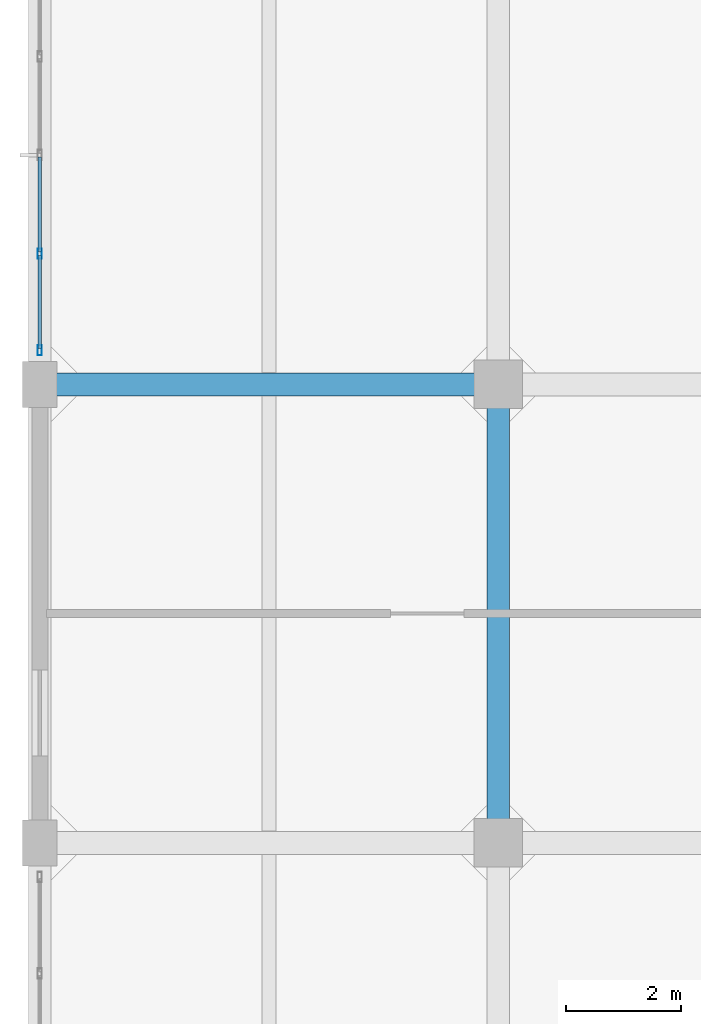
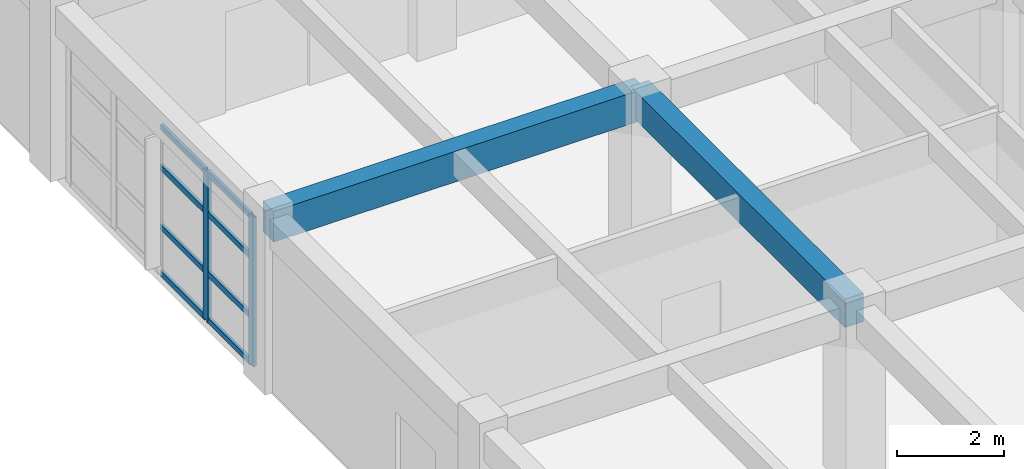
# One storey, part 10 of 30: 10 members, 2 beams, 1 element without a shape of its own.
"""IFC4 building model written with IfcOpenShell, lengths in metres."""

from ifc_helpers import new_model, si_unit, direction, frame, origin, origin_2d, place, context, subcontext, project, spatial, rectangle, hollow_rectangle, extrude, material, layer, layer_set, material_profile, profile_set, type_object, element, aggregate, save


model = new_model("IFC4")

# Units and contexts
model_context = context("Model", 3, precision=1e-05, world=origin(), true_north=direction((0.0, 1.0)))
body_context = subcontext(model_context, "Body", "Model", "MODEL_VIEW")
ifc_project = project(units=[si_unit("LENGTHUNIT", "METRE"), si_unit("AREAUNIT", "SQUARE_METRE"), si_unit("VOLUMEUNIT", "CUBIC_METRE"), si_unit("PLANEANGLEUNIT", "RADIAN"), si_unit("MASSUNIT", "GRAM", prefix="KILO")], contexts=[model_context])

# Site, building, storey
site_placement = place(None, origin())
site = spatial("IfcSite", under=ifc_project, at=site_placement, CompositionType="ELEMENT")
building_placement = place(site_placement, origin())
building = spatial("IfcBuilding", under=site, at=building_placement, Name="Canggui Botanical Conservatory", CompositionType="ELEMENT")
storey_placement = place(building_placement, frame((0.0, 0.0, 27.60009765625)))
storey = spatial("IfcBuildingStorey", under=building, at=storey_placement, Name="L07", CompositionType="ELEMENT", Elevation=27.60009765625)

# Beams
ifc_material_1 = material(Name="Concrete C35", Category="concrete")
ifc_material_profile_1 = material_profile(ifc_material_1, rectangle(XDim=0.39990234375, YDim=0.699951171875, at=origin_2d()), Name="RB 400x700")
ifc_profile_set_1 = profile_set([ifc_material_profile_1], Name="Concrete C35")
beam_type_1 = type_object("IfcBeamType", Name="BM-KL11", PredefinedType="BEAM", material=ifc_profile_set_1)
beam_1_placement = place(storey_placement, frame((138.0, 58.0, 3.60986328125), z_axis=(1.0, 0.0, 0.0), x_axis=(0.0, 1.0, 0.0)))
element("IfcBeam", 1, at=beam_1_placement, inside=storey, type_object=beam_type_1, Name="Frame Girder L07 Y58-1", PredefinedType="BEAM", context=body_context, shape_type="SweptSolid", body=[
    extrude(rectangle(XDim=0.39990234375, YDim=0.699951171875, at=origin_2d()), origin(), (0.0, 0.0, 1.0), 8.0),
])
ifc_material_profile_2 = material_profile(ifc_material_1, rectangle(XDim=0.39990234375, YDim=0.64990234375, at=origin_2d()), Name="RB 400x650")
ifc_profile_set_2 = profile_set([ifc_material_profile_2], Name="Concrete C35")
beam_type_2 = type_object("IfcBeamType", Name="BM-KL12", PredefinedType="BEAM", material=ifc_profile_set_2)
beam_2_placement = place(storey_placement, frame((146.0, 50.0, 3.635009765625), z_axis=(0.0, 1.0, 0.0), x_axis=(-1.0, 0.0, 0.0)))
element("IfcBeam", 2, at=beam_2_placement, inside=storey, type_object=beam_type_2, Name="Frame Girder L07 X146-3", PredefinedType="BEAM", context=body_context, shape_type="SweptSolid", body=[
    extrude(rectangle(XDim=0.39990234375, YDim=0.64990234375, at=origin_2d()), origin(), (0.0, 0.0, 1.0), 8.0),
])

# Curtain wall, members
ifc_material_2 = material(Name="Thermally Broken Aluminium", Category="aluminium")
ifc_layer = layer(ifc_material_2, 0.179931640625, Name="Thermally Broken Aluminium", Category="aluminium")
ifc_layer_set = layer_set([ifc_layer], Name="Thermally Broken Aluminium")
curtain_wall_type = type_object("IfcCurtainWallType", Name="CW-UNIT-A", PredefinedType="USERDEFINED", material=ifc_layer_set)
curtain_wall_placement = place(storey_placement, origin())
curtain_wall = element("IfcCurtainWall", 3, at=curtain_wall_placement, inside=storey, type_object=curtain_wall_type, Name="Facade Curtain Wall CW-TWR-L07-09", ObjectType="UNITISED CURTAIN WALL", PredefinedType="USERDEFINED")
ifc_material_profile_3 = material_profile(ifc_material_2, hollow_rectangle(XDim=0.070068359375, YDim=0.179931640625, WallThickness=0.00390625, at=origin_2d()), Name="CWM 70x180x4")
ifc_profile_set_3 = profile_set([ifc_material_profile_3], Name="Thermally Broken Aluminium")
member_type_1 = type_object("IfcMemberType", Name="CWM-01", PredefinedType="MULLION", material=ifc_profile_set_3)
member_1_placement = place(storey_placement, frame((138.0, 58.594970703125, 0.0), z_axis=(0.0, 0.0, 1.0), x_axis=(-1.0, 0.0, 0.0)))
member_1 = element("IfcMember", 4, at=member_1_placement, type_object=member_type_1, Name="CW-01 mullion 1", PredefinedType="MULLION", context=body_context, shape_type="SweptSolid", body=[
    extrude(hollow_rectangle(XDim=0.070068359375, YDim=0.179931640625, WallThickness=0.00390625, at=origin_2d()), origin(), (0.0, 0.0, 1.0), 3.39990234375),
])
member_2_placement = place(storey_placement, frame((138.0, 60.280029296875, 0.0), z_axis=(0.0, 0.0, 1.0), x_axis=(-1.0, 0.0, 0.0)))
member_2 = element("IfcMember", 5, at=member_2_placement, type_object=member_type_1, Name="CW-01 mullion 2", PredefinedType="MULLION", context=body_context, shape_type="SweptSolid", body=[
    extrude(hollow_rectangle(XDim=0.070068359375, YDim=0.179931640625, WallThickness=0.00390625, at=origin_2d()), origin(), (0.0, 0.0, 1.0), 3.39990234375),
])
ifc_material_profile_4 = material_profile(ifc_material_2, hollow_rectangle(XDim=0.06494140625, YDim=0.1298828125, WallThickness=0.00341796875, at=origin_2d()), Name="CWT 65x130x3.5")
ifc_profile_set_4 = profile_set([ifc_material_profile_4], Name="Thermally Broken Aluminium")
member_type_2 = type_object("IfcMemberType", Name="CWT-01", PredefinedType="USERDEFINED", material=ifc_profile_set_4)
member_3_placement = place(storey_placement, frame((138.0, 58.6298828125, 0.032470703125), z_axis=(0.0, 1.0, 0.0), x_axis=(-1.0, 0.0, 0.0)))
member_3 = element("IfcMember", 6, at=member_3_placement, type_object=member_type_2, Name="CW-01 transom 1.1", ObjectType="TRANSOM", PredefinedType="USERDEFINED", context=body_context, shape_type="SweptSolid", body=[
    extrude(hollow_rectangle(XDim=0.06494140625, YDim=0.1298828125, WallThickness=0.00341796875, at=origin_2d()), origin(), (0.0, 0.0, 1.0), 1.615234375),
])
member_4_placement = place(storey_placement, frame((138.0, 58.6298828125, 1.087890625), z_axis=(0.0, 1.0, 0.0), x_axis=(-1.0, 0.0, 0.0)))
member_4 = element("IfcMember", 7, at=member_4_placement, type_object=member_type_2, Name="CW-01 transom 1.2", ObjectType="TRANSOM", PredefinedType="USERDEFINED", context=body_context, shape_type="SweptSolid", body=[
    extrude(hollow_rectangle(XDim=0.06494140625, YDim=0.1298828125, WallThickness=0.00341796875, at=origin_2d()), origin(), (0.0, 0.0, 1.0), 1.615234375),
])
member_5_placement = place(storey_placement, frame((138.0, 58.6298828125, 2.447998046875), z_axis=(0.0, 1.0, 0.0), x_axis=(-1.0, 0.0, 0.0)))
member_5 = element("IfcMember", 8, at=member_5_placement, type_object=member_type_2, Name="CW-01 transom 1.3", ObjectType="TRANSOM", PredefinedType="USERDEFINED", context=body_context, shape_type="SweptSolid", body=[
    extrude(hollow_rectangle(XDim=0.06494140625, YDim=0.1298828125, WallThickness=0.00341796875, at=origin_2d()), origin(), (0.0, 0.0, 1.0), 1.615234375),
])
member_6_placement = place(storey_placement, frame((138.0, 58.6298828125, 3.367431640625), z_axis=(0.0, 1.0, 0.0), x_axis=(-1.0, 0.0, 0.0)))
member_6 = element("IfcMember", 9, at=member_6_placement, type_object=member_type_2, Name="CW-01 transom 1.4", ObjectType="TRANSOM", PredefinedType="USERDEFINED", context=body_context, shape_type="SweptSolid", body=[
    extrude(hollow_rectangle(XDim=0.06494140625, YDim=0.1298828125, WallThickness=0.00341796875, at=origin_2d()), origin(), (0.0, 0.0, 1.0), 1.615234375),
])
member_7_placement = place(storey_placement, frame((138.0, 60.31494140625, 0.032470703125), z_axis=(0.0, 1.0, 0.0), x_axis=(-1.0, 0.0, 0.0)))
member_7 = element("IfcMember", 10, at=member_7_placement, type_object=member_type_2, Name="CW-01 transom 2.1", ObjectType="TRANSOM", PredefinedType="USERDEFINED", context=body_context, shape_type="SweptSolid", body=[
    extrude(hollow_rectangle(XDim=0.06494140625, YDim=0.1298828125, WallThickness=0.00341796875, at=origin_2d()), origin(), (0.0, 0.0, 1.0), 1.650146484375),
])
member_8_placement = place(storey_placement, frame((138.0, 60.31494140625, 1.087890625), z_axis=(0.0, 1.0, 0.0), x_axis=(-1.0, 0.0, 0.0)))
member_8 = element("IfcMember", 11, at=member_8_placement, type_object=member_type_2, Name="CW-01 transom 2.2", ObjectType="TRANSOM", PredefinedType="USERDEFINED", context=body_context, shape_type="SweptSolid", body=[
    extrude(hollow_rectangle(XDim=0.06494140625, YDim=0.1298828125, WallThickness=0.00341796875, at=origin_2d()), origin(), (0.0, 0.0, 1.0), 1.650146484375),
])
member_9_placement = place(storey_placement, frame((138.0, 60.31494140625, 2.447998046875), z_axis=(0.0, 1.0, 0.0), x_axis=(-1.0, 0.0, 0.0)))
member_9 = element("IfcMember", 12, at=member_9_placement, type_object=member_type_2, Name="CW-01 transom 2.3", ObjectType="TRANSOM", PredefinedType="USERDEFINED", context=body_context, shape_type="SweptSolid", body=[
    extrude(hollow_rectangle(XDim=0.06494140625, YDim=0.1298828125, WallThickness=0.00341796875, at=origin_2d()), origin(), (0.0, 0.0, 1.0), 1.650146484375),
])
member_10_placement = place(storey_placement, frame((138.0, 60.31494140625, 3.367431640625), z_axis=(0.0, 1.0, 0.0), x_axis=(-1.0, 0.0, 0.0)))
member_10 = element("IfcMember", 13, at=member_10_placement, type_object=member_type_2, Name="CW-01 transom 2.4", ObjectType="TRANSOM", PredefinedType="USERDEFINED", context=body_context, shape_type="SweptSolid", body=[
    extrude(hollow_rectangle(XDim=0.06494140625, YDim=0.1298828125, WallThickness=0.00341796875, at=origin_2d()), origin(), (0.0, 0.0, 1.0), 1.650146484375),
])
aggregate(curtain_wall, [member_1, member_2, member_3, member_4, member_5, member_6, member_7, member_8, member_9, member_10])

save(model, "model.ifc")
